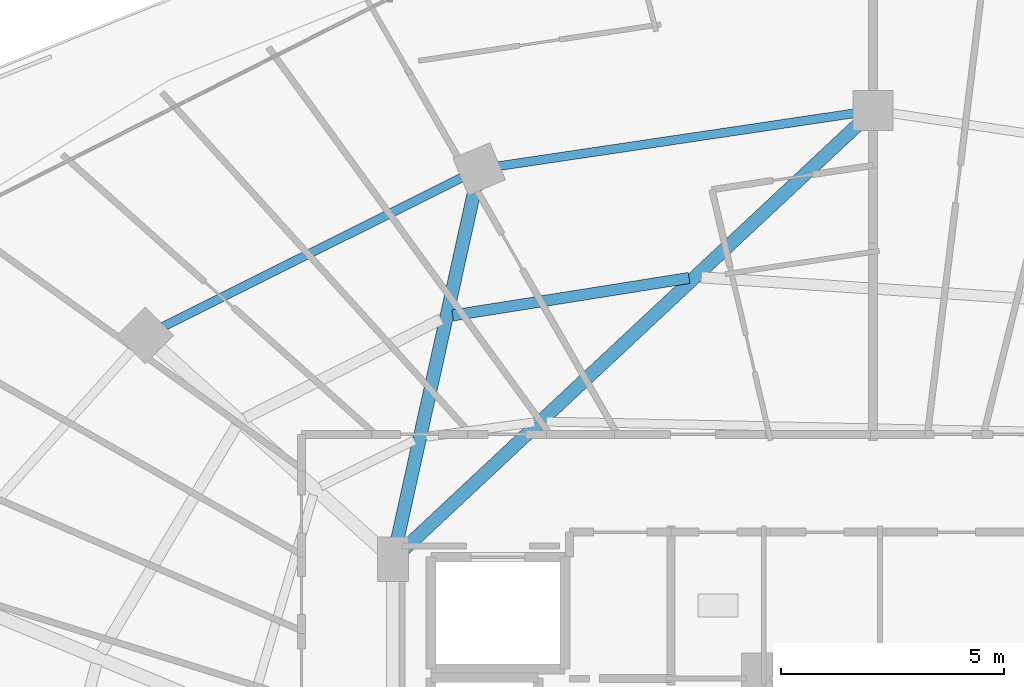
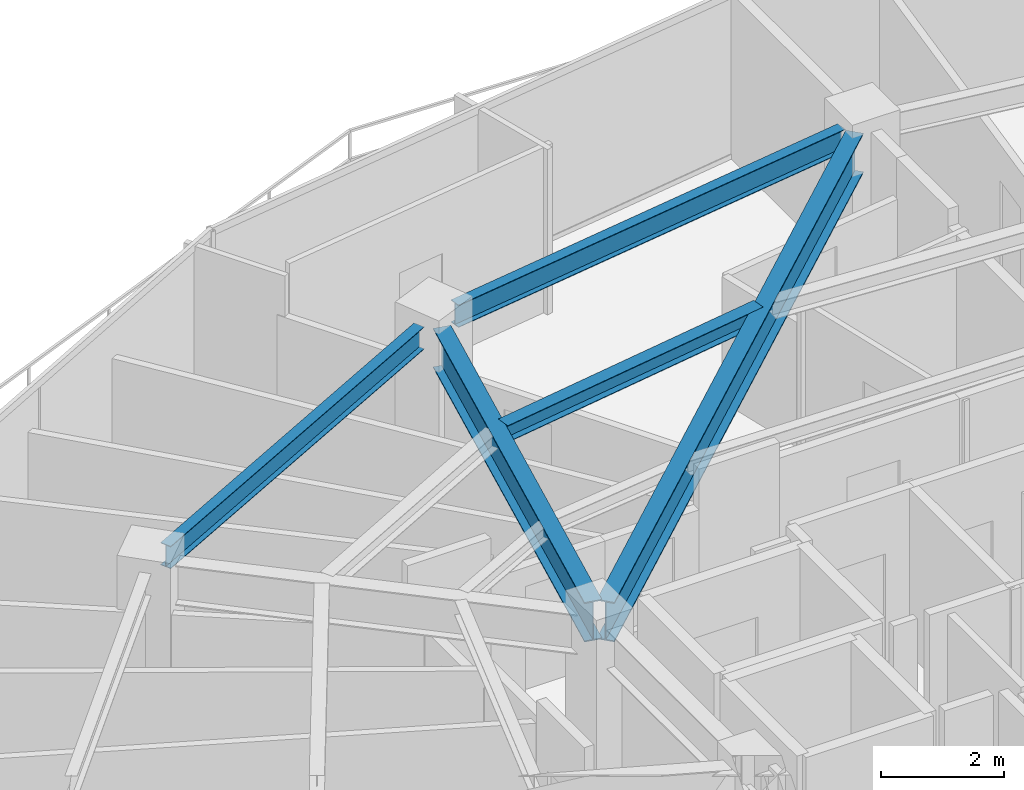
# One storey, part 19 of 34: 5 beams.
"""IFC4 building model written with IfcOpenShell, lengths in metres."""

from ifc_helpers import new_model, si_unit, direction, frame, origin, origin_2d, place, context, subcontext, project, spatial, i_section, extrude, material, material_profile, profile_set, type_object, element, save


model = new_model("IFC4")

# Units and contexts
model_context = context("Model", 3, precision=1e-05, world=origin(), true_north=direction((0.0, 1.0)))
body_context = subcontext(model_context, "Body", "Model", "MODEL_VIEW")
ifc_project = project(units=[si_unit("LENGTHUNIT", "METRE"), si_unit("AREAUNIT", "SQUARE_METRE"), si_unit("VOLUMEUNIT", "CUBIC_METRE"), si_unit("PLANEANGLEUNIT", "RADIAN"), si_unit("MASSUNIT", "GRAM", prefix="KILO")], contexts=[model_context])

# Site, building, storey
site_placement = place(None, origin())
site = spatial("IfcSite", under=ifc_project, at=site_placement, CompositionType="ELEMENT")
building_placement = place(site_placement, origin())
building = spatial("IfcBuilding", under=site, at=building_placement, Name="Vorneva Point Tower", CompositionType="ELEMENT")
storey_placement = place(building_placement, frame((0.0, 0.0, 214.300048828125)))
storey = spatial("IfcBuildingStorey", under=building, at=storey_placement, Name="L58", CompositionType="ELEMENT", Elevation=214.300048828125)

# Beams
ifc_material = material(Name="Steel S355", Category="steel")
ifc_material_profile_1 = material_profile(ifc_material, i_section(OverallWidth=0.300048828125, OverallDepth=0.7880859375, WebThickness=0.014404296875, FlangeThickness=0.02197265625, at=origin_2d()), Name="80Sh1")
ifc_profile_set_1 = profile_set([ifc_material_profile_1], Name="Steel S355")
beam_type_1 = type_object("IfcBeamType", Name="BM-GRD-80Sh1", PredefinedType="USERDEFINED", material=ifc_profile_set_1)
beam_1_placement = place(storey_placement, frame((37.679931640625, 42.90087890625, 2.89599609375), z_axis=(-0.730484767146, -0.682928989696, 0.0), x_axis=(0.682928989696, -0.730484767146, 0.0)))
element("IfcBeam", 1, at=beam_1_placement, inside=storey, type_object=beam_type_1, Name="L58 Radial Primary Girder 05", ObjectType="GIRDER", PredefinedType="USERDEFINED", context=body_context, shape_type="SweptSolid", body=[
    extrude(i_section(OverallWidth=0.300048828125, OverallDepth=0.7880859375, WebThickness=0.014404296875, FlangeThickness=0.02197265625, at=origin_2d()), origin(), (0.0, 0.0, 1.0), 13.938232421875),
])
beam_2_placement = place(storey_placement, frame((29.084716796875, 41.462890625, 2.89599609375), z_axis=(-0.215522758292, -0.976498817541, 0.0), x_axis=(0.976498817541, -0.215522758292, 0.0)))
element("IfcBeam", 2, at=beam_2_placement, inside=storey, type_object=beam_type_1, Name="L58 Radial Primary Girder 06", ObjectType="GIRDER", PredefinedType="USERDEFINED", context=body_context, shape_type="SweptSolid", body=[
    extrude(i_section(OverallWidth=0.300048828125, OverallDepth=0.7880859375, WebThickness=0.014404296875, FlangeThickness=0.02197265625, at=origin_2d()), origin(), (0.0, 0.0, 1.0), 8.173095703125),
])
ifc_material_profile_2 = material_profile(ifc_material, i_section(OverallWidth=0.2490234375, OverallDepth=0.333984375, WebThickness=0.008056640625, FlangeThickness=0.010986328125, at=origin_2d()), Name="35Sh1")
ifc_profile_set_2 = profile_set([ifc_material_profile_2], Name="Steel S355")
beam_type_2 = type_object("IfcBeamType", Name="BM-SEC-35Sh1", PredefinedType="BEAM", material=ifc_profile_set_2)
beam_3_placement = place(storey_placement, frame((33.87841796875, 39.452392578125, 3.123046875), z_axis=(-0.987609534462, -0.156931218819, 0.0), x_axis=(0.156931218819, -0.987609534462, 0.0)))
element("IfcBeam", 3, at=beam_3_placement, inside=storey, type_object=beam_type_2, Name="L58 Secondary Floor Beam 1.05", PredefinedType="BEAM", context=body_context, shape_type="SweptSolid", body=[
    extrude(i_section(OverallWidth=0.2490234375, OverallDepth=0.333984375, WebThickness=0.008056640625, FlangeThickness=0.010986328125, at=origin_2d()), origin(), (0.0, 0.0, 1.0), 5.35791015625),
])
ifc_material_profile_3 = material_profile(ifc_material, i_section(OverallWidth=0.198974609375, OverallDepth=0.446044921875, WebThickness=0.008056640625, FlangeThickness=0.011962890625, at=origin_2d()), Name="45B1")
ifc_profile_set_3 = profile_set([ifc_material_profile_3], Name="Steel S355")
beam_type_3 = type_object("IfcBeamType", Name="BM-SPN-45B1", PredefinedType="SPANDREL", material=ifc_profile_set_3)
beam_4_placement = place(storey_placement, frame((37.569580078125, 43.135986328125, 3.06689453125), z_axis=(-0.989165476332, -0.146804837907, 0.0), x_axis=(0.146804837907, -0.989165476332, 0.0)))
element("IfcBeam", 4, at=beam_4_placement, inside=storey, type_object=beam_type_3, Name="L58 Perimeter Spandrel Ring Beam 05", PredefinedType="SPANDREL", context=body_context, shape_type="SweptSolid", body=[
    extrude(i_section(OverallWidth=0.198974609375, OverallDepth=0.446044921875, WebThickness=0.008056640625, FlangeThickness=0.011962890625, at=origin_2d()), origin(), (0.0, 0.0, 1.0), 8.04736328125),
])
beam_5_placement = place(storey_placement, frame((28.789794921875, 41.696533203125, 3.06689453125), z_axis=(-0.894922371084, -0.446221861559, 0.0), x_axis=(0.446221861559, -0.894922371084, 0.0)))
element("IfcBeam", 5, at=beam_5_placement, inside=storey, type_object=beam_type_3, Name="L58 Perimeter Spandrel Ring Beam 06", PredefinedType="SPANDREL", context=body_context, shape_type="SweptSolid", body=[
    extrude(i_section(OverallWidth=0.198974609375, OverallDepth=0.446044921875, WebThickness=0.008056640625, FlangeThickness=0.011962890625, at=origin_2d()), origin(), (0.0, 0.0, 1.0), 7.48583984375),
])

save(model, "model.ifc")
